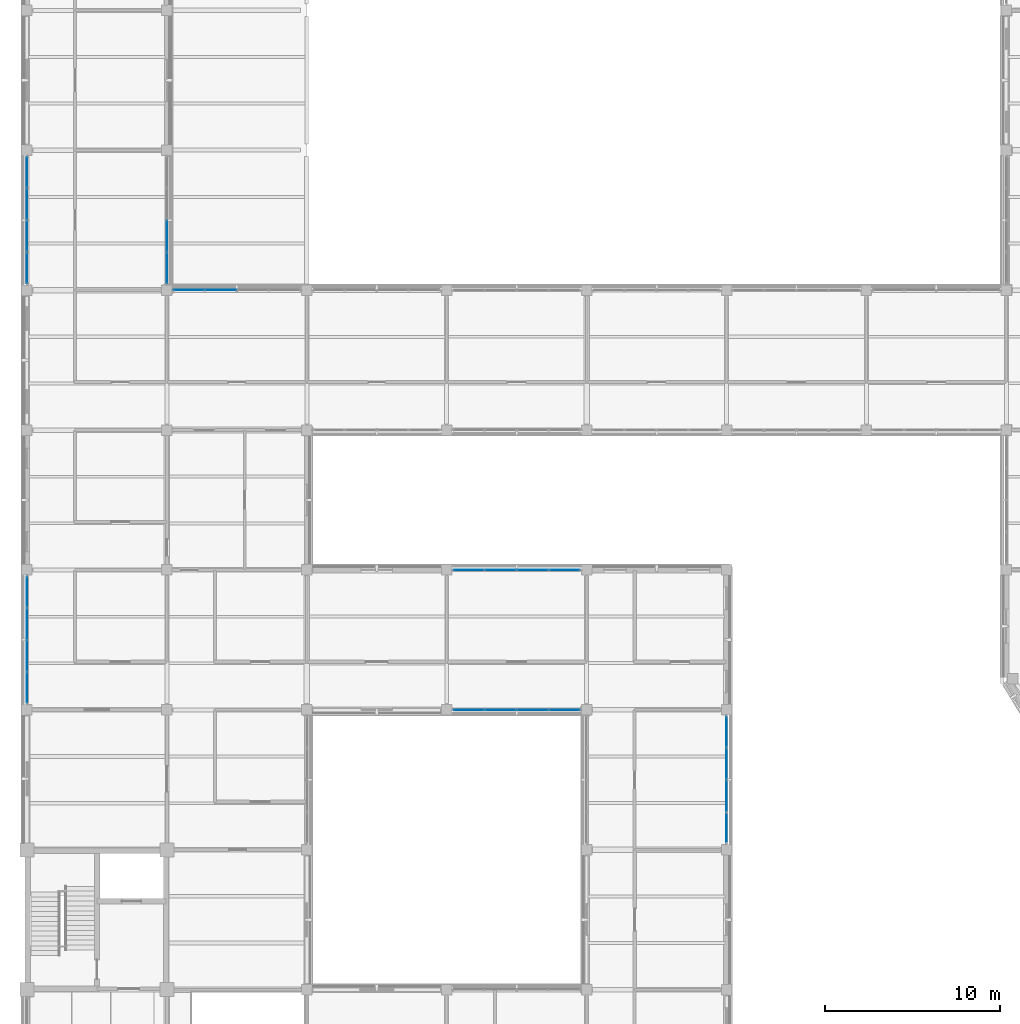
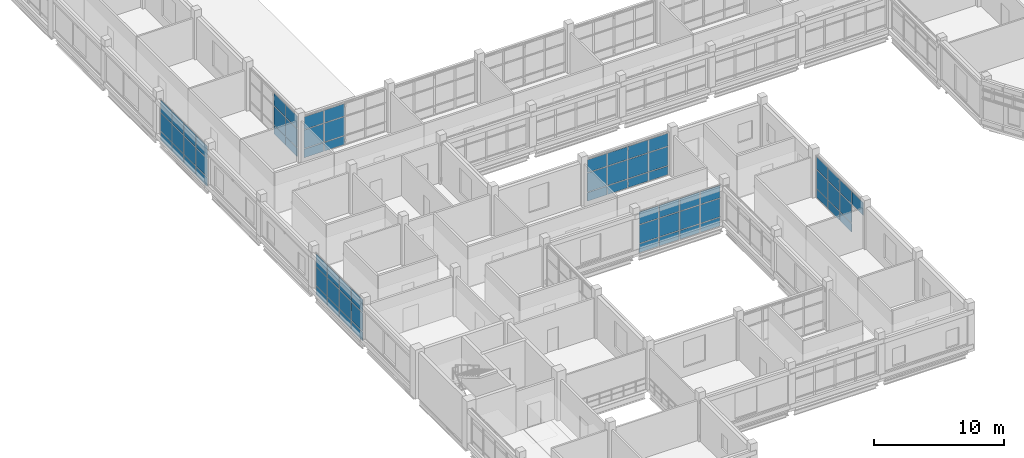
# One storey, part 61 of 121: 70 plates, 7 elements without a shape of their own.
"""IFC4 building model written with IfcOpenShell, lengths in metres."""

from ifc_helpers import new_model, si_unit, derived_unit, direction, frame, origin, origin_2d, place, context, subcontext, project, spatial, rectangle, extrude, material, layer, layer_set, type_object, element, aggregate, save


model = new_model("IFC4")

# Units and contexts
model_context = context("Model", 3, precision=1e-05, world=origin(), true_north=direction((0.0, 1.0)))
body_context = subcontext(model_context, "Body", "Model", "MODEL_VIEW")
ifc_project = project(units=[si_unit("LENGTHUNIT", "METRE"), si_unit("AREAUNIT", "SQUARE_METRE"), si_unit("VOLUMEUNIT", "CUBIC_METRE"), si_unit("PLANEANGLEUNIT", "RADIAN"), si_unit("MASSUNIT", "GRAM", prefix="KILO"), derived_unit("THERMALTRANSMITTANCEUNIT", [(si_unit("MASSUNIT", "GRAM", prefix="KILO"), 1), (si_unit("TIMEUNIT", "SECOND"), -3), (si_unit("THERMODYNAMICTEMPERATUREUNIT", "KELVIN"), -1)])], contexts=[model_context])

# Site, building, storey
site_placement = place(None, origin())
site = spatial("IfcSite", under=ifc_project, at=site_placement, CompositionType="ELEMENT")
building_placement = place(site_placement, origin())
building = spatial("IfcBuilding", under=site, at=building_placement, Name="Veyamyaing Civic Hall", CompositionType="ELEMENT")
storey_placement = place(building_placement, frame((0.0, 0.0, 5.280029296875)))
storey = spatial("IfcBuildingStorey", under=building, at=storey_placement, Name="L01", CompositionType="ELEMENT", Elevation=5.280029296875)

# Curtain wall, plates
ifc_material_1 = material(Name="Anodised aluminium 6063-T6", Category="aluminium")
ifc_layer_1 = layer(ifc_material_1, 0.159912109375, Name="Anodised aluminium 6063-T6")
ifc_layer_set_1 = layer_set([ifc_layer_1], Name="Anodised aluminium 6063-T6")
curtain_wall_type = type_object("IfcCurtainWallType", Name="CW-02", PredefinedType="NOTDEFINED", material=ifc_layer_set_1)
curtain_wall_1_placement = place(storey_placement, origin())
curtain_wall_1 = element("IfcCurtainWall", 1, at=curtain_wall_1_placement, inside=storey, type_object=curtain_wall_type, Name="Unitized curtain wall CW-02 L01 W 1.5", PredefinedType="NOTDEFINED")
ifc_material_2 = material(Name="Low-E insulated glass", Category="glass")
ifc_layer_2 = layer(ifc_material_2, 0.028076171875, Name="Low-E insulated glass")
ifc_layer_set_2 = layer_set([ifc_layer_2], Name="Low-E insulated glass")
plate_type_1 = type_object("IfcPlateType", Name="CWP-01", PredefinedType="CURTAIN_PANEL", material=ifc_layer_set_2)
plate_1_placement = place(storey_placement, frame((0.0, 33.263671875, 0.06494140625), z_axis=(0.0, 0.0, 1.0), x_axis=(0.0, 1.0, 0.0)))
plate_1 = element("IfcPlate", 2, at=plate_1_placement, type_object=plate_type_1, Name="CW-02 panel 1.1", PredefinedType="CURTAIN_PANEL", context=body_context, shape_type="SweptSolid", body=[
    extrude(rectangle(XDim=1.737548828125, YDim=0.028076171875, at=origin_2d()), origin(), (0.0, 0.0, 1.0), 0.802490234375),
])
plate_2_placement = place(storey_placement, frame((0.0, 33.263671875, 0.932373046875), z_axis=(0.0, 0.0, 1.0), x_axis=(0.0, 1.0, 0.0)))
plate_2 = element("IfcPlate", 3, at=plate_2_placement, type_object=plate_type_1, Name="CW-02 panel 1.2", PredefinedType="CURTAIN_PANEL", context=body_context, shape_type="SweptSolid", body=[
    extrude(rectangle(XDim=1.737548828125, YDim=0.028076171875, at=origin_2d()), origin(), (0.0, 0.0, 1.0), 1.7373046875),
])
plate_3_placement = place(storey_placement, frame((0.0, 33.263671875, 2.734619140625), z_axis=(0.0, 0.0, 1.0), x_axis=(0.0, 1.0, 0.0)))
plate_3 = element("IfcPlate", 4, at=plate_3_placement, type_object=plate_type_1, Name="CW-02 panel 1.3", PredefinedType="CURTAIN_PANEL", context=body_context, shape_type="SweptSolid", body=[
    extrude(rectangle(XDim=1.737548828125, YDim=0.028076171875, at=origin_2d()), origin(), (0.0, 0.0, 1.0), 1.17431640625),
])
plate_4_placement = place(storey_placement, frame((0.0, 35.08251953125, 0.06494140625), z_axis=(0.0, 0.0, 1.0), x_axis=(0.0, 1.0, 0.0)))
plate_4 = element("IfcPlate", 5, at=plate_4_placement, type_object=plate_type_1, Name="CW-02 panel 2.1", PredefinedType="CURTAIN_PANEL", context=body_context, shape_type="SweptSolid", body=[
    extrude(rectangle(XDim=1.77001953125, YDim=0.028076171875, at=origin_2d()), origin(), (0.0, 0.0, 1.0), 0.802490234375),
])
plate_5_placement = place(storey_placement, frame((0.0, 35.08251953125, 0.932373046875), z_axis=(0.0, 0.0, 1.0), x_axis=(0.0, 1.0, 0.0)))
plate_5 = element("IfcPlate", 6, at=plate_5_placement, type_object=plate_type_1, Name="CW-02 panel 2.2", PredefinedType="CURTAIN_PANEL", context=body_context, shape_type="SweptSolid", body=[
    extrude(rectangle(XDim=1.77001953125, YDim=0.028076171875, at=origin_2d()), origin(), (0.0, 0.0, 1.0), 1.7373046875),
])
plate_6_placement = place(storey_placement, frame((0.0, 35.08251953125, 2.734619140625), z_axis=(0.0, 0.0, 1.0), x_axis=(0.0, 1.0, 0.0)))
plate_6 = element("IfcPlate", 7, at=plate_6_placement, type_object=plate_type_1, Name="CW-02 panel 2.3", PredefinedType="CURTAIN_PANEL", context=body_context, shape_type="SweptSolid", body=[
    extrude(rectangle(XDim=1.77001953125, YDim=0.028076171875, at=origin_2d()), origin(), (0.0, 0.0, 1.0), 1.17431640625),
])
plate_7_placement = place(storey_placement, frame((0.0, 36.91748046875, 0.06494140625), z_axis=(0.0, 0.0, 1.0), x_axis=(0.0, 1.0, 0.0)))
plate_7 = element("IfcPlate", 8, at=plate_7_placement, type_object=plate_type_1, Name="CW-02 panel 3.1", PredefinedType="CURTAIN_PANEL", context=body_context, shape_type="SweptSolid", body=[
    extrude(rectangle(XDim=1.77001953125, YDim=0.028076171875, at=origin_2d()), origin(), (0.0, 0.0, 1.0), 0.802490234375),
])
plate_8_placement = place(storey_placement, frame((0.0, 36.91748046875, 0.932373046875), z_axis=(0.0, 0.0, 1.0), x_axis=(0.0, 1.0, 0.0)))
plate_8 = element("IfcPlate", 9, at=plate_8_placement, type_object=plate_type_1, Name="CW-02 panel 3.2", PredefinedType="CURTAIN_PANEL", context=body_context, shape_type="SweptSolid", body=[
    extrude(rectangle(XDim=1.77001953125, YDim=0.028076171875, at=origin_2d()), origin(), (0.0, 0.0, 1.0), 1.7373046875),
])
plate_9_placement = place(storey_placement, frame((0.0, 36.91748046875, 2.734619140625), z_axis=(0.0, 0.0, 1.0), x_axis=(0.0, 1.0, 0.0)))
plate_9 = element("IfcPlate", 10, at=plate_9_placement, type_object=plate_type_1, Name="CW-02 panel 3.3", PredefinedType="CURTAIN_PANEL", context=body_context, shape_type="SweptSolid", body=[
    extrude(rectangle(XDim=1.77001953125, YDim=0.028076171875, at=origin_2d()), origin(), (0.0, 0.0, 1.0), 1.17431640625),
])
plate_10_placement = place(storey_placement, frame((0.0, 38.736328125, 0.06494140625), z_axis=(0.0, 0.0, 1.0), x_axis=(0.0, 1.0, 0.0)))
plate_10 = element("IfcPlate", 11, at=plate_10_placement, type_object=plate_type_1, Name="CW-02 panel 4.1", PredefinedType="CURTAIN_PANEL", context=body_context, shape_type="SweptSolid", body=[
    extrude(rectangle(XDim=1.737548828125, YDim=0.028076171875, at=origin_2d()), origin(), (0.0, 0.0, 1.0), 0.802490234375),
])
plate_11_placement = place(storey_placement, frame((0.0, 38.736328125, 0.932373046875), z_axis=(0.0, 0.0, 1.0), x_axis=(0.0, 1.0, 0.0)))
plate_11 = element("IfcPlate", 12, at=plate_11_placement, type_object=plate_type_1, Name="CW-02 panel 4.2", PredefinedType="CURTAIN_PANEL", context=body_context, shape_type="SweptSolid", body=[
    extrude(rectangle(XDim=1.737548828125, YDim=0.028076171875, at=origin_2d()), origin(), (0.0, 0.0, 1.0), 1.7373046875),
])
plate_12_placement = place(storey_placement, frame((0.0, 38.736328125, 2.734619140625), z_axis=(0.0, 0.0, 1.0), x_axis=(0.0, 1.0, 0.0)))
plate_12 = element("IfcPlate", 13, at=plate_12_placement, type_object=plate_type_1, Name="CW-02 panel 4.3", PredefinedType="CURTAIN_PANEL", context=body_context, shape_type="SweptSolid", body=[
    extrude(rectangle(XDim=1.737548828125, YDim=0.028076171875, at=origin_2d()), origin(), (0.0, 0.0, 1.0), 1.17431640625),
])
aggregate(curtain_wall_1, [plate_1, plate_2, plate_3, plate_4, plate_5, plate_6, plate_7, plate_8, plate_9, plate_10, plate_11, plate_12])

curtain_wall_2_placement = place(storey_placement, origin())
curtain_wall_2 = element("IfcCurtainWall", 14, at=curtain_wall_2_placement, inside=storey, type_object=curtain_wall_type, Name="Unitized curtain wall CW-02 L01 W 1.8", PredefinedType="NOTDEFINED")
ifc_layer_3 = layer(ifc_material_2, 0.02392578125, Name="Low-E insulated glass")
ifc_layer_set_3 = layer_set([ifc_layer_3], Name="Low-E insulated glass")
plate_type_2 = type_object("IfcPlateType", Name="CWP-04", PredefinedType="CURTAIN_PANEL", material=ifc_layer_set_3)
plate_13_placement = place(storey_placement, frame((0.0, 57.263671875, 0.06494140625), z_axis=(0.0, 0.0, 1.0), x_axis=(0.0, 1.0, 0.0)))
plate_13 = element("IfcPlate", 15, at=plate_13_placement, type_object=plate_type_2, Name="CW-02 panel 1.1", PredefinedType="CURTAIN_PANEL", context=body_context, shape_type="SweptSolid", body=[
    extrude(rectangle(XDim=1.737548828125, YDim=0.02392578125, at=origin_2d()), origin(), (0.0, 0.0, 1.0), 0.802490234375),
])
plate_14_placement = place(storey_placement, frame((0.0, 57.263671875, 0.932373046875), z_axis=(0.0, 0.0, 1.0), x_axis=(0.0, 1.0, 0.0)))
plate_14 = element("IfcPlate", 16, at=plate_14_placement, type_object=plate_type_2, Name="CW-02 panel 1.2", PredefinedType="CURTAIN_PANEL", context=body_context, shape_type="SweptSolid", body=[
    extrude(rectangle(XDim=1.737548828125, YDim=0.02392578125, at=origin_2d()), origin(), (0.0, 0.0, 1.0), 1.69384765625),
])
plate_15_placement = place(storey_placement, frame((0.0, 57.263671875, 2.691162109375), z_axis=(0.0, 0.0, 1.0), x_axis=(0.0, 1.0, 0.0)))
plate_15 = element("IfcPlate", 17, at=plate_15_placement, type_object=plate_type_2, Name="CW-02 panel 1.3", PredefinedType="CURTAIN_PANEL", context=body_context, shape_type="SweptSolid", body=[
    extrude(rectangle(XDim=1.737548828125, YDim=0.02392578125, at=origin_2d()), origin(), (0.0, 0.0, 1.0), 1.15380859375),
])
plate_16_placement = place(storey_placement, frame((0.0, 59.08251953125, 0.06494140625), z_axis=(0.0, 0.0, 1.0), x_axis=(0.0, 1.0, 0.0)))
plate_16 = element("IfcPlate", 18, at=plate_16_placement, type_object=plate_type_2, Name="CW-02 panel 2.1", PredefinedType="CURTAIN_PANEL", context=body_context, shape_type="SweptSolid", body=[
    extrude(rectangle(XDim=1.77001953125, YDim=0.02392578125, at=origin_2d()), origin(), (0.0, 0.0, 1.0), 0.802490234375),
])
plate_17_placement = place(storey_placement, frame((0.0, 59.08251953125, 0.932373046875), z_axis=(0.0, 0.0, 1.0), x_axis=(0.0, 1.0, 0.0)))
plate_17 = element("IfcPlate", 19, at=plate_17_placement, type_object=plate_type_2, Name="CW-02 panel 2.2", PredefinedType="CURTAIN_PANEL", context=body_context, shape_type="SweptSolid", body=[
    extrude(rectangle(XDim=1.77001953125, YDim=0.02392578125, at=origin_2d()), origin(), (0.0, 0.0, 1.0), 1.69384765625),
])
plate_18_placement = place(storey_placement, frame((0.0, 59.08251953125, 2.691162109375), z_axis=(0.0, 0.0, 1.0), x_axis=(0.0, 1.0, 0.0)))
plate_18 = element("IfcPlate", 20, at=plate_18_placement, type_object=plate_type_2, Name="CW-02 panel 2.3", PredefinedType="CURTAIN_PANEL", context=body_context, shape_type="SweptSolid", body=[
    extrude(rectangle(XDim=1.77001953125, YDim=0.02392578125, at=origin_2d()), origin(), (0.0, 0.0, 1.0), 1.15380859375),
])
plate_19_placement = place(storey_placement, frame((0.0, 60.91748046875, 0.06494140625), z_axis=(0.0, 0.0, 1.0), x_axis=(0.0, 1.0, 0.0)))
plate_19 = element("IfcPlate", 21, at=plate_19_placement, type_object=plate_type_2, Name="CW-02 panel 3.1", PredefinedType="CURTAIN_PANEL", context=body_context, shape_type="SweptSolid", body=[
    extrude(rectangle(XDim=1.77001953125, YDim=0.02392578125, at=origin_2d()), origin(), (0.0, 0.0, 1.0), 0.802490234375),
])
plate_20_placement = place(storey_placement, frame((0.0, 60.91748046875, 0.932373046875), z_axis=(0.0, 0.0, 1.0), x_axis=(0.0, 1.0, 0.0)))
plate_20 = element("IfcPlate", 22, at=plate_20_placement, type_object=plate_type_2, Name="CW-02 panel 3.2", PredefinedType="CURTAIN_PANEL", context=body_context, shape_type="SweptSolid", body=[
    extrude(rectangle(XDim=1.77001953125, YDim=0.02392578125, at=origin_2d()), origin(), (0.0, 0.0, 1.0), 1.69384765625),
])
plate_21_placement = place(storey_placement, frame((0.0, 60.91748046875, 2.691162109375), z_axis=(0.0, 0.0, 1.0), x_axis=(0.0, 1.0, 0.0)))
plate_21 = element("IfcPlate", 23, at=plate_21_placement, type_object=plate_type_2, Name="CW-02 panel 3.3", PredefinedType="CURTAIN_PANEL", context=body_context, shape_type="SweptSolid", body=[
    extrude(rectangle(XDim=1.77001953125, YDim=0.02392578125, at=origin_2d()), origin(), (0.0, 0.0, 1.0), 1.15380859375),
])
plate_22_placement = place(storey_placement, frame((0.0, 62.736328125, 0.06494140625), z_axis=(0.0, 0.0, 1.0), x_axis=(0.0, 1.0, 0.0)))
plate_22 = element("IfcPlate", 24, at=plate_22_placement, type_object=plate_type_2, Name="CW-02 panel 4.1", PredefinedType="CURTAIN_PANEL", context=body_context, shape_type="SweptSolid", body=[
    extrude(rectangle(XDim=1.737548828125, YDim=0.02392578125, at=origin_2d()), origin(), (0.0, 0.0, 1.0), 0.802490234375),
])
plate_23_placement = place(storey_placement, frame((0.0, 62.736328125, 0.932373046875), z_axis=(0.0, 0.0, 1.0), x_axis=(0.0, 1.0, 0.0)))
plate_23 = element("IfcPlate", 25, at=plate_23_placement, type_object=plate_type_2, Name="CW-02 panel 4.2", PredefinedType="CURTAIN_PANEL", context=body_context, shape_type="SweptSolid", body=[
    extrude(rectangle(XDim=1.737548828125, YDim=0.02392578125, at=origin_2d()), origin(), (0.0, 0.0, 1.0), 1.69384765625),
])
plate_24_placement = place(storey_placement, frame((0.0, 62.736328125, 2.691162109375), z_axis=(0.0, 0.0, 1.0), x_axis=(0.0, 1.0, 0.0)))
plate_24 = element("IfcPlate", 26, at=plate_24_placement, type_object=plate_type_2, Name="CW-02 panel 4.3", PredefinedType="CURTAIN_PANEL", context=body_context, shape_type="SweptSolid", body=[
    extrude(rectangle(XDim=1.737548828125, YDim=0.02392578125, at=origin_2d()), origin(), (0.0, 0.0, 1.0), 1.15380859375),
])
aggregate(curtain_wall_2, [plate_13, plate_14, plate_15, plate_16, plate_17, plate_18, plate_19, plate_20, plate_21, plate_22, plate_23, plate_24])

curtain_wall_3_placement = place(storey_placement, origin())
curtain_wall_3 = element("IfcCurtainWall", 27, at=curtain_wall_3_placement, inside=storey, type_object=curtain_wall_type, Name="Unitized curtain wall CW-02 L01 E 1.8", PredefinedType="NOTDEFINED")
plate_25_placement = place(storey_placement, frame((8.0, 57.263671875, 0.06494140625), z_axis=(0.0, 0.0, 1.0), x_axis=(0.0, 1.0, 0.0)))
plate_25 = element("IfcPlate", 28, at=plate_25_placement, type_object=plate_type_2, Name="CW-02 panel 1.1", PredefinedType="CURTAIN_PANEL", context=body_context, shape_type="SweptSolid", body=[
    extrude(rectangle(XDim=1.737548828125, YDim=0.02392578125, at=origin_2d()), origin(), (0.0, 0.0, 1.0), 0.802490234375),
])
plate_26_placement = place(storey_placement, frame((8.0, 57.263671875, 0.932373046875), z_axis=(0.0, 0.0, 1.0), x_axis=(0.0, 1.0, 0.0)))
plate_26 = element("IfcPlate", 29, at=plate_26_placement, type_object=plate_type_2, Name="CW-02 panel 1.2", PredefinedType="CURTAIN_PANEL", context=body_context, shape_type="SweptSolid", body=[
    extrude(rectangle(XDim=1.737548828125, YDim=0.02392578125, at=origin_2d()), origin(), (0.0, 0.0, 1.0), 1.7373046875),
])
plate_27_placement = place(storey_placement, frame((8.0, 57.263671875, 2.734619140625), z_axis=(0.0, 0.0, 1.0), x_axis=(0.0, 1.0, 0.0)))
plate_27 = element("IfcPlate", 30, at=plate_27_placement, type_object=plate_type_2, Name="CW-02 panel 1.3", PredefinedType="CURTAIN_PANEL", context=body_context, shape_type="SweptSolid", body=[
    extrude(rectangle(XDim=1.737548828125, YDim=0.02392578125, at=origin_2d()), origin(), (0.0, 0.0, 1.0), 1.17431640625),
])
plate_28_placement = place(storey_placement, frame((8.0, 59.08251953125, 0.06494140625), z_axis=(0.0, 0.0, 1.0), x_axis=(0.0, 1.0, 0.0)))
plate_28 = element("IfcPlate", 31, at=plate_28_placement, type_object=plate_type_2, Name="CW-02 panel 2.1", PredefinedType="CURTAIN_PANEL", context=body_context, shape_type="SweptSolid", body=[
    extrude(rectangle(XDim=1.77001953125, YDim=0.02392578125, at=origin_2d()), origin(), (0.0, 0.0, 1.0), 0.802490234375),
])
plate_29_placement = place(storey_placement, frame((8.0, 59.08251953125, 0.932373046875), z_axis=(0.0, 0.0, 1.0), x_axis=(0.0, 1.0, 0.0)))
plate_29 = element("IfcPlate", 32, at=plate_29_placement, type_object=plate_type_2, Name="CW-02 panel 2.2", PredefinedType="CURTAIN_PANEL", context=body_context, shape_type="SweptSolid", body=[
    extrude(rectangle(XDim=1.77001953125, YDim=0.02392578125, at=origin_2d()), origin(), (0.0, 0.0, 1.0), 1.7373046875),
])
plate_30_placement = place(storey_placement, frame((8.0, 59.08251953125, 2.734619140625), z_axis=(0.0, 0.0, 1.0), x_axis=(0.0, 1.0, 0.0)))
plate_30 = element("IfcPlate", 33, at=plate_30_placement, type_object=plate_type_2, Name="CW-02 panel 2.3", PredefinedType="CURTAIN_PANEL", context=body_context, shape_type="SweptSolid", body=[
    extrude(rectangle(XDim=1.77001953125, YDim=0.02392578125, at=origin_2d()), origin(), (0.0, 0.0, 1.0), 1.17431640625),
])
aggregate(curtain_wall_3, [plate_25, plate_26, plate_27, plate_28, plate_29, plate_30])

curtain_wall_4_placement = place(storey_placement, origin())
curtain_wall_4 = element("IfcCurtainWall", 34, at=curtain_wall_4_placement, inside=storey, type_object=curtain_wall_type, Name="Unitized curtain wall CW-02 L01 N 2.7", PredefinedType="NOTDEFINED")
plate_31_placement = place(storey_placement, frame((9.263671875, 56.0, 0.06494140625), z_axis=(0.0, 0.0, 1.0), x_axis=(1.0, 0.0, 0.0)))
plate_31 = element("IfcPlate", 35, at=plate_31_placement, type_object=plate_type_2, Name="CW-02 panel 1.1", PredefinedType="CURTAIN_PANEL", context=body_context, shape_type="SweptSolid", body=[
    extrude(rectangle(XDim=1.737548828125, YDim=0.02392578125, at=origin_2d()), origin(), (0.0, 0.0, 1.0), 0.802490234375),
])
plate_32_placement = place(storey_placement, frame((9.263671875, 56.0, 0.932373046875), z_axis=(0.0, 0.0, 1.0), x_axis=(1.0, 0.0, 0.0)))
plate_32 = element("IfcPlate", 36, at=plate_32_placement, type_object=plate_type_2, Name="CW-02 panel 1.2", PredefinedType="CURTAIN_PANEL", context=body_context, shape_type="SweptSolid", body=[
    extrude(rectangle(XDim=1.737548828125, YDim=0.02392578125, at=origin_2d()), origin(), (0.0, 0.0, 1.0), 1.7373046875),
])
plate_33_placement = place(storey_placement, frame((9.263671875, 56.0, 2.734619140625), z_axis=(0.0, 0.0, 1.0), x_axis=(1.0, 0.0, 0.0)))
plate_33 = element("IfcPlate", 37, at=plate_33_placement, type_object=plate_type_2, Name="CW-02 panel 1.3", PredefinedType="CURTAIN_PANEL", context=body_context, shape_type="SweptSolid", body=[
    extrude(rectangle(XDim=1.737548828125, YDim=0.02392578125, at=origin_2d()), origin(), (0.0, 0.0, 1.0), 1.17431640625),
])
plate_34_placement = place(storey_placement, frame((11.08251953125, 56.0, 0.06494140625), z_axis=(0.0, 0.0, 1.0), x_axis=(1.0, 0.0, 0.0)))
plate_34 = element("IfcPlate", 38, at=plate_34_placement, type_object=plate_type_2, Name="CW-02 panel 2.1", PredefinedType="CURTAIN_PANEL", context=body_context, shape_type="SweptSolid", body=[
    extrude(rectangle(XDim=1.77001953125, YDim=0.02392578125, at=origin_2d()), origin(), (0.0, 0.0, 1.0), 0.802490234375),
])
plate_35_placement = place(storey_placement, frame((11.08251953125, 56.0, 0.932373046875), z_axis=(0.0, 0.0, 1.0), x_axis=(1.0, 0.0, 0.0)))
plate_35 = element("IfcPlate", 39, at=plate_35_placement, type_object=plate_type_2, Name="CW-02 panel 2.2", PredefinedType="CURTAIN_PANEL", context=body_context, shape_type="SweptSolid", body=[
    extrude(rectangle(XDim=1.77001953125, YDim=0.02392578125, at=origin_2d()), origin(), (0.0, 0.0, 1.0), 1.7373046875),
])
plate_36_placement = place(storey_placement, frame((11.08251953125, 56.0, 2.734619140625), z_axis=(0.0, 0.0, 1.0), x_axis=(1.0, 0.0, 0.0)))
plate_36 = element("IfcPlate", 40, at=plate_36_placement, type_object=plate_type_2, Name="CW-02 panel 2.3", PredefinedType="CURTAIN_PANEL", context=body_context, shape_type="SweptSolid", body=[
    extrude(rectangle(XDim=1.77001953125, YDim=0.02392578125, at=origin_2d()), origin(), (0.0, 0.0, 1.0), 1.17431640625),
])
aggregate(curtain_wall_4, [plate_31, plate_32, plate_33, plate_34, plate_35, plate_36])

curtain_wall_5_placement = place(storey_placement, origin())
curtain_wall_5 = element("IfcCurtainWall", 41, at=curtain_wall_5_placement, inside=storey, type_object=curtain_wall_type, Name="Unitized curtain wall CW-02 L01 S 4.5", PredefinedType="NOTDEFINED")
plate_37_placement = place(storey_placement, frame((25.263671875, 32.0, 0.06494140625), z_axis=(0.0, 0.0, 1.0), x_axis=(1.0, 0.0, 0.0)))
plate_37 = element("IfcPlate", 42, at=plate_37_placement, type_object=plate_type_2, Name="CW-02 panel 1.1", PredefinedType="CURTAIN_PANEL", context=body_context, shape_type="SweptSolid", body=[
    extrude(rectangle(XDim=1.737548828125, YDim=0.02392578125, at=origin_2d()), origin(), (0.0, 0.0, 1.0), 0.802490234375),
])
plate_38_placement = place(storey_placement, frame((25.263671875, 32.0, 0.9326171875), z_axis=(0.0, 0.0, 1.0), x_axis=(1.0, 0.0, 0.0)))
plate_38 = element("IfcPlate", 43, at=plate_38_placement, type_object=plate_type_2, Name="CW-02 panel 1.2", PredefinedType="CURTAIN_PANEL", context=body_context, shape_type="SweptSolid", body=[
    extrude(rectangle(XDim=1.737548828125, YDim=0.02392578125, at=origin_2d()), origin(), (0.0, 0.0, 1.0), 1.724365234375),
])
plate_39_placement = place(storey_placement, frame((25.263671875, 32.0, 2.7216796875), z_axis=(0.0, 0.0, 1.0), x_axis=(1.0, 0.0, 0.0)))
plate_39 = element("IfcPlate", 44, at=plate_39_placement, type_object=plate_type_2, Name="CW-02 panel 1.3", PredefinedType="CURTAIN_PANEL", context=body_context, shape_type="SweptSolid", body=[
    extrude(rectangle(XDim=1.737548828125, YDim=0.02392578125, at=origin_2d()), origin(), (0.0, 0.0, 1.0), 1.168212890625),
])
plate_40_placement = place(storey_placement, frame((27.08251953125, 32.0, 0.06494140625), z_axis=(0.0, 0.0, 1.0), x_axis=(1.0, 0.0, 0.0)))
plate_40 = element("IfcPlate", 45, at=plate_40_placement, type_object=plate_type_2, Name="CW-02 panel 2.1", PredefinedType="CURTAIN_PANEL", context=body_context, shape_type="SweptSolid", body=[
    extrude(rectangle(XDim=1.77001953125, YDim=0.02392578125, at=origin_2d()), origin(), (0.0, 0.0, 1.0), 0.802490234375),
])
plate_41_placement = place(storey_placement, frame((27.08251953125, 32.0, 0.9326171875), z_axis=(0.0, 0.0, 1.0), x_axis=(1.0, 0.0, 0.0)))
plate_41 = element("IfcPlate", 46, at=plate_41_placement, type_object=plate_type_2, Name="CW-02 panel 2.2", PredefinedType="CURTAIN_PANEL", context=body_context, shape_type="SweptSolid", body=[
    extrude(rectangle(XDim=1.77001953125, YDim=0.02392578125, at=origin_2d()), origin(), (0.0, 0.0, 1.0), 1.724365234375),
])
plate_42_placement = place(storey_placement, frame((27.08251953125, 32.0, 2.7216796875), z_axis=(0.0, 0.0, 1.0), x_axis=(1.0, 0.0, 0.0)))
plate_42 = element("IfcPlate", 47, at=plate_42_placement, type_object=plate_type_2, Name="CW-02 panel 2.3", PredefinedType="CURTAIN_PANEL", context=body_context, shape_type="SweptSolid", body=[
    extrude(rectangle(XDim=1.77001953125, YDim=0.02392578125, at=origin_2d()), origin(), (0.0, 0.0, 1.0), 1.168212890625),
])
plate_43_placement = place(storey_placement, frame((28.91748046875, 32.0, 0.06494140625), z_axis=(0.0, 0.0, 1.0), x_axis=(1.0, 0.0, 0.0)))
plate_43 = element("IfcPlate", 48, at=plate_43_placement, type_object=plate_type_2, Name="CW-02 panel 3.1", PredefinedType="CURTAIN_PANEL", context=body_context, shape_type="SweptSolid", body=[
    extrude(rectangle(XDim=1.77001953125, YDim=0.02392578125, at=origin_2d()), origin(), (0.0, 0.0, 1.0), 0.802490234375),
])
plate_44_placement = place(storey_placement, frame((28.91748046875, 32.0, 0.9326171875), z_axis=(0.0, 0.0, 1.0), x_axis=(1.0, 0.0, 0.0)))
plate_44 = element("IfcPlate", 49, at=plate_44_placement, type_object=plate_type_2, Name="CW-02 panel 3.2", PredefinedType="CURTAIN_PANEL", context=body_context, shape_type="SweptSolid", body=[
    extrude(rectangle(XDim=1.77001953125, YDim=0.02392578125, at=origin_2d()), origin(), (0.0, 0.0, 1.0), 1.724365234375),
])
plate_45_placement = place(storey_placement, frame((28.91748046875, 32.0, 2.7216796875), z_axis=(0.0, 0.0, 1.0), x_axis=(1.0, 0.0, 0.0)))
plate_45 = element("IfcPlate", 50, at=plate_45_placement, type_object=plate_type_2, Name="CW-02 panel 3.3", PredefinedType="CURTAIN_PANEL", context=body_context, shape_type="SweptSolid", body=[
    extrude(rectangle(XDim=1.77001953125, YDim=0.02392578125, at=origin_2d()), origin(), (0.0, 0.0, 1.0), 1.168212890625),
])
plate_46_placement = place(storey_placement, frame((30.736328125, 32.0, 0.06494140625), z_axis=(0.0, 0.0, 1.0), x_axis=(1.0, 0.0, 0.0)))
plate_46 = element("IfcPlate", 51, at=plate_46_placement, type_object=plate_type_2, Name="CW-02 panel 4.1", PredefinedType="CURTAIN_PANEL", context=body_context, shape_type="SweptSolid", body=[
    extrude(rectangle(XDim=1.737548828125, YDim=0.02392578125, at=origin_2d()), origin(), (0.0, 0.0, 1.0), 0.802490234375),
])
plate_47_placement = place(storey_placement, frame((30.736328125, 32.0, 0.9326171875), z_axis=(0.0, 0.0, 1.0), x_axis=(1.0, 0.0, 0.0)))
plate_47 = element("IfcPlate", 52, at=plate_47_placement, type_object=plate_type_2, Name="CW-02 panel 4.2", PredefinedType="CURTAIN_PANEL", context=body_context, shape_type="SweptSolid", body=[
    extrude(rectangle(XDim=1.737548828125, YDim=0.02392578125, at=origin_2d()), origin(), (0.0, 0.0, 1.0), 1.724365234375),
])
plate_48_placement = place(storey_placement, frame((30.736328125, 32.0, 2.7216796875), z_axis=(0.0, 0.0, 1.0), x_axis=(1.0, 0.0, 0.0)))
plate_48 = element("IfcPlate", 53, at=plate_48_placement, type_object=plate_type_2, Name="CW-02 panel 4.3", PredefinedType="CURTAIN_PANEL", context=body_context, shape_type="SweptSolid", body=[
    extrude(rectangle(XDim=1.737548828125, YDim=0.02392578125, at=origin_2d()), origin(), (0.0, 0.0, 1.0), 1.168212890625),
])
aggregate(curtain_wall_5, [plate_37, plate_38, plate_39, plate_40, plate_41, plate_42, plate_43, plate_44, plate_45, plate_46, plate_47, plate_48])

curtain_wall_6_placement = place(storey_placement, origin())
curtain_wall_6 = element("IfcCurtainWall", 54, at=curtain_wall_6_placement, inside=storey, type_object=curtain_wall_type, Name="Unitized curtain wall CW-02 L01 N 4.5", PredefinedType="NOTDEFINED")
plate_49_placement = place(storey_placement, frame((25.263671875, 40.0, 0.06494140625), z_axis=(0.0, 0.0, 1.0), x_axis=(1.0, 0.0, 0.0)))
plate_49 = element("IfcPlate", 55, at=plate_49_placement, type_object=plate_type_2, Name="CW-02 panel 1.1", PredefinedType="CURTAIN_PANEL", context=body_context, shape_type="SweptSolid", body=[
    extrude(rectangle(XDim=1.737548828125, YDim=0.02392578125, at=origin_2d()), origin(), (0.0, 0.0, 1.0), 0.802490234375),
])
plate_50_placement = place(storey_placement, frame((25.263671875, 40.0, 0.9326171875), z_axis=(0.0, 0.0, 1.0), x_axis=(1.0, 0.0, 0.0)))
plate_50 = element("IfcPlate", 56, at=plate_50_placement, type_object=plate_type_2, Name="CW-02 panel 1.2", PredefinedType="CURTAIN_PANEL", context=body_context, shape_type="SweptSolid", body=[
    extrude(rectangle(XDim=1.737548828125, YDim=0.02392578125, at=origin_2d()), origin(), (0.0, 0.0, 1.0), 1.767822265625),
])
plate_51_placement = place(storey_placement, frame((25.263671875, 40.0, 2.76513671875), z_axis=(0.0, 0.0, 1.0), x_axis=(1.0, 0.0, 0.0)))
plate_51 = element("IfcPlate", 57, at=plate_51_placement, type_object=plate_type_2, Name="CW-02 panel 1.3", PredefinedType="CURTAIN_PANEL", context=body_context, shape_type="SweptSolid", body=[
    extrude(rectangle(XDim=1.737548828125, YDim=0.02392578125, at=origin_2d()), origin(), (0.0, 0.0, 1.0), 1.188720703125),
])
plate_52_placement = place(storey_placement, frame((27.08251953125, 40.0, 0.06494140625), z_axis=(0.0, 0.0, 1.0), x_axis=(1.0, 0.0, 0.0)))
plate_52 = element("IfcPlate", 58, at=plate_52_placement, type_object=plate_type_2, Name="CW-02 panel 2.1", PredefinedType="CURTAIN_PANEL", context=body_context, shape_type="SweptSolid", body=[
    extrude(rectangle(XDim=1.77001953125, YDim=0.02392578125, at=origin_2d()), origin(), (0.0, 0.0, 1.0), 0.802490234375),
])
plate_53_placement = place(storey_placement, frame((27.08251953125, 40.0, 0.9326171875), z_axis=(0.0, 0.0, 1.0), x_axis=(1.0, 0.0, 0.0)))
plate_53 = element("IfcPlate", 59, at=plate_53_placement, type_object=plate_type_2, Name="CW-02 panel 2.2", PredefinedType="CURTAIN_PANEL", context=body_context, shape_type="SweptSolid", body=[
    extrude(rectangle(XDim=1.77001953125, YDim=0.02392578125, at=origin_2d()), origin(), (0.0, 0.0, 1.0), 1.767822265625),
])
plate_54_placement = place(storey_placement, frame((27.08251953125, 40.0, 2.76513671875), z_axis=(0.0, 0.0, 1.0), x_axis=(1.0, 0.0, 0.0)))
plate_54 = element("IfcPlate", 60, at=plate_54_placement, type_object=plate_type_2, Name="CW-02 panel 2.3", PredefinedType="CURTAIN_PANEL", context=body_context, shape_type="SweptSolid", body=[
    extrude(rectangle(XDim=1.77001953125, YDim=0.02392578125, at=origin_2d()), origin(), (0.0, 0.0, 1.0), 1.188720703125),
])
plate_55_placement = place(storey_placement, frame((28.91748046875, 40.0, 0.06494140625), z_axis=(0.0, 0.0, 1.0), x_axis=(1.0, 0.0, 0.0)))
plate_55 = element("IfcPlate", 61, at=plate_55_placement, type_object=plate_type_2, Name="CW-02 panel 3.1", PredefinedType="CURTAIN_PANEL", context=body_context, shape_type="SweptSolid", body=[
    extrude(rectangle(XDim=1.77001953125, YDim=0.02392578125, at=origin_2d()), origin(), (0.0, 0.0, 1.0), 0.802490234375),
])
plate_56_placement = place(storey_placement, frame((28.91748046875, 40.0, 0.9326171875), z_axis=(0.0, 0.0, 1.0), x_axis=(1.0, 0.0, 0.0)))
plate_56 = element("IfcPlate", 62, at=plate_56_placement, type_object=plate_type_2, Name="CW-02 panel 3.2", PredefinedType="CURTAIN_PANEL", context=body_context, shape_type="SweptSolid", body=[
    extrude(rectangle(XDim=1.77001953125, YDim=0.02392578125, at=origin_2d()), origin(), (0.0, 0.0, 1.0), 1.767822265625),
])
plate_57_placement = place(storey_placement, frame((28.91748046875, 40.0, 2.76513671875), z_axis=(0.0, 0.0, 1.0), x_axis=(1.0, 0.0, 0.0)))
plate_57 = element("IfcPlate", 63, at=plate_57_placement, type_object=plate_type_2, Name="CW-02 panel 3.3", PredefinedType="CURTAIN_PANEL", context=body_context, shape_type="SweptSolid", body=[
    extrude(rectangle(XDim=1.77001953125, YDim=0.02392578125, at=origin_2d()), origin(), (0.0, 0.0, 1.0), 1.188720703125),
])
plate_58_placement = place(storey_placement, frame((30.736328125, 40.0, 0.06494140625), z_axis=(0.0, 0.0, 1.0), x_axis=(1.0, 0.0, 0.0)))
plate_58 = element("IfcPlate", 64, at=plate_58_placement, type_object=plate_type_2, Name="CW-02 panel 4.1", PredefinedType="CURTAIN_PANEL", context=body_context, shape_type="SweptSolid", body=[
    extrude(rectangle(XDim=1.737548828125, YDim=0.02392578125, at=origin_2d()), origin(), (0.0, 0.0, 1.0), 0.802490234375),
])
plate_59_placement = place(storey_placement, frame((30.736328125, 40.0, 0.9326171875), z_axis=(0.0, 0.0, 1.0), x_axis=(1.0, 0.0, 0.0)))
plate_59 = element("IfcPlate", 65, at=plate_59_placement, type_object=plate_type_2, Name="CW-02 panel 4.2", PredefinedType="CURTAIN_PANEL", context=body_context, shape_type="SweptSolid", body=[
    extrude(rectangle(XDim=1.737548828125, YDim=0.02392578125, at=origin_2d()), origin(), (0.0, 0.0, 1.0), 1.767822265625),
])
plate_60_placement = place(storey_placement, frame((30.736328125, 40.0, 2.76513671875), z_axis=(0.0, 0.0, 1.0), x_axis=(1.0, 0.0, 0.0)))
plate_60 = element("IfcPlate", 66, at=plate_60_placement, type_object=plate_type_2, Name="CW-02 panel 4.3", PredefinedType="CURTAIN_PANEL", context=body_context, shape_type="SweptSolid", body=[
    extrude(rectangle(XDim=1.737548828125, YDim=0.02392578125, at=origin_2d()), origin(), (0.0, 0.0, 1.0), 1.188720703125),
])
aggregate(curtain_wall_6, [plate_49, plate_50, plate_51, plate_52, plate_53, plate_54, plate_55, plate_56, plate_57, plate_58, plate_59, plate_60])

curtain_wall_7_placement = place(storey_placement, origin())
curtain_wall_7 = element("IfcCurtainWall", 67, at=curtain_wall_7_placement, inside=storey, type_object=curtain_wall_type, Name="Unitized curtain wall CW-02 L01 E 5.4", PredefinedType="NOTDEFINED")
plate_61_placement = place(storey_placement, frame((40.0, 25.263671875, 2.734619140625), z_axis=(0.0, 0.0, 1.0), x_axis=(0.0, 1.0, 0.0)))
plate_61 = element("IfcPlate", 68, at=plate_61_placement, type_object=plate_type_2, Name="CW-02 panel 1.3", PredefinedType="CURTAIN_PANEL", context=body_context, shape_type="SweptSolid", body=[
    extrude(rectangle(XDim=1.737548828125, YDim=0.02392578125, at=origin_2d()), origin(), (0.0, 0.0, 1.0), 1.17431640625),
])
plate_62_placement = place(storey_placement, frame((40.0, 27.08251953125, 0.06494140625), z_axis=(0.0, 0.0, 1.0), x_axis=(0.0, 1.0, 0.0)))
plate_62 = element("IfcPlate", 69, at=plate_62_placement, type_object=plate_type_2, Name="CW-02 panel 2.1", PredefinedType="CURTAIN_PANEL", context=body_context, shape_type="SweptSolid", body=[
    extrude(rectangle(XDim=1.77001953125, YDim=0.02392578125, at=origin_2d()), origin(), (0.0, 0.0, 1.0), 0.802490234375),
])
plate_63_placement = place(storey_placement, frame((40.0, 27.08251953125, 0.932373046875), z_axis=(0.0, 0.0, 1.0), x_axis=(0.0, 1.0, 0.0)))
plate_63 = element("IfcPlate", 70, at=plate_63_placement, type_object=plate_type_2, Name="CW-02 panel 2.2", PredefinedType="CURTAIN_PANEL", context=body_context, shape_type="SweptSolid", body=[
    extrude(rectangle(XDim=1.77001953125, YDim=0.02392578125, at=origin_2d()), origin(), (0.0, 0.0, 1.0), 1.7373046875),
])
plate_64_placement = place(storey_placement, frame((40.0, 27.08251953125, 2.734619140625), z_axis=(0.0, 0.0, 1.0), x_axis=(0.0, 1.0, 0.0)))
plate_64 = element("IfcPlate", 71, at=plate_64_placement, type_object=plate_type_2, Name="CW-02 panel 2.3", PredefinedType="CURTAIN_PANEL", context=body_context, shape_type="SweptSolid", body=[
    extrude(rectangle(XDim=1.77001953125, YDim=0.02392578125, at=origin_2d()), origin(), (0.0, 0.0, 1.0), 1.17431640625),
])
plate_65_placement = place(storey_placement, frame((40.0, 28.91748046875, 0.06494140625), z_axis=(0.0, 0.0, 1.0), x_axis=(0.0, 1.0, 0.0)))
plate_65 = element("IfcPlate", 72, at=plate_65_placement, type_object=plate_type_2, Name="CW-02 panel 3.1", PredefinedType="CURTAIN_PANEL", context=body_context, shape_type="SweptSolid", body=[
    extrude(rectangle(XDim=1.77001953125, YDim=0.02392578125, at=origin_2d()), origin(), (0.0, 0.0, 1.0), 0.802490234375),
])
plate_66_placement = place(storey_placement, frame((40.0, 28.91748046875, 0.932373046875), z_axis=(0.0, 0.0, 1.0), x_axis=(0.0, 1.0, 0.0)))
plate_66 = element("IfcPlate", 73, at=plate_66_placement, type_object=plate_type_2, Name="CW-02 panel 3.2", PredefinedType="CURTAIN_PANEL", context=body_context, shape_type="SweptSolid", body=[
    extrude(rectangle(XDim=1.77001953125, YDim=0.02392578125, at=origin_2d()), origin(), (0.0, 0.0, 1.0), 1.7373046875),
])
plate_67_placement = place(storey_placement, frame((40.0, 28.91748046875, 2.734619140625), z_axis=(0.0, 0.0, 1.0), x_axis=(0.0, 1.0, 0.0)))
plate_67 = element("IfcPlate", 74, at=plate_67_placement, type_object=plate_type_2, Name="CW-02 panel 3.3", PredefinedType="CURTAIN_PANEL", context=body_context, shape_type="SweptSolid", body=[
    extrude(rectangle(XDim=1.77001953125, YDim=0.02392578125, at=origin_2d()), origin(), (0.0, 0.0, 1.0), 1.17431640625),
])
plate_68_placement = place(storey_placement, frame((40.0, 30.736328125, 0.06494140625), z_axis=(0.0, 0.0, 1.0), x_axis=(0.0, 1.0, 0.0)))
plate_68 = element("IfcPlate", 75, at=plate_68_placement, type_object=plate_type_2, Name="CW-02 panel 4.1", PredefinedType="CURTAIN_PANEL", context=body_context, shape_type="SweptSolid", body=[
    extrude(rectangle(XDim=1.737548828125, YDim=0.02392578125, at=origin_2d()), origin(), (0.0, 0.0, 1.0), 0.802490234375),
])
plate_69_placement = place(storey_placement, frame((40.0, 30.736328125, 0.932373046875), z_axis=(0.0, 0.0, 1.0), x_axis=(0.0, 1.0, 0.0)))
plate_69 = element("IfcPlate", 76, at=plate_69_placement, type_object=plate_type_2, Name="CW-02 panel 4.2", PredefinedType="CURTAIN_PANEL", context=body_context, shape_type="SweptSolid", body=[
    extrude(rectangle(XDim=1.737548828125, YDim=0.02392578125, at=origin_2d()), origin(), (0.0, 0.0, 1.0), 1.7373046875),
])
plate_70_placement = place(storey_placement, frame((40.0, 30.736328125, 2.734619140625), z_axis=(0.0, 0.0, 1.0), x_axis=(0.0, 1.0, 0.0)))
plate_70 = element("IfcPlate", 77, at=plate_70_placement, type_object=plate_type_2, Name="CW-02 panel 4.3", PredefinedType="CURTAIN_PANEL", context=body_context, shape_type="SweptSolid", body=[
    extrude(rectangle(XDim=1.737548828125, YDim=0.02392578125, at=origin_2d()), origin(), (0.0, 0.0, 1.0), 1.17431640625),
])
aggregate(curtain_wall_7, [plate_61, plate_62, plate_63, plate_64, plate_65, plate_66, plate_67, plate_68, plate_69, plate_70])

save(model, "model.ifc")
